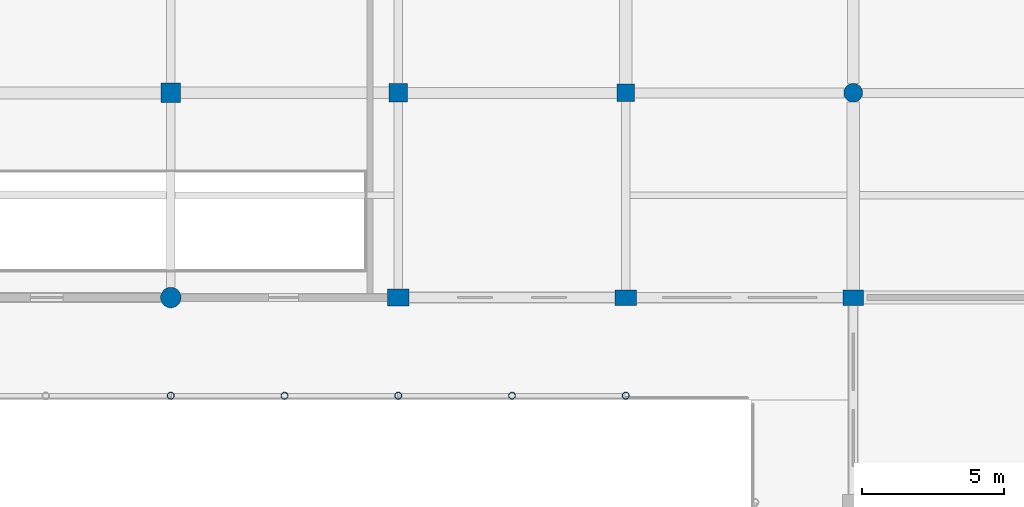
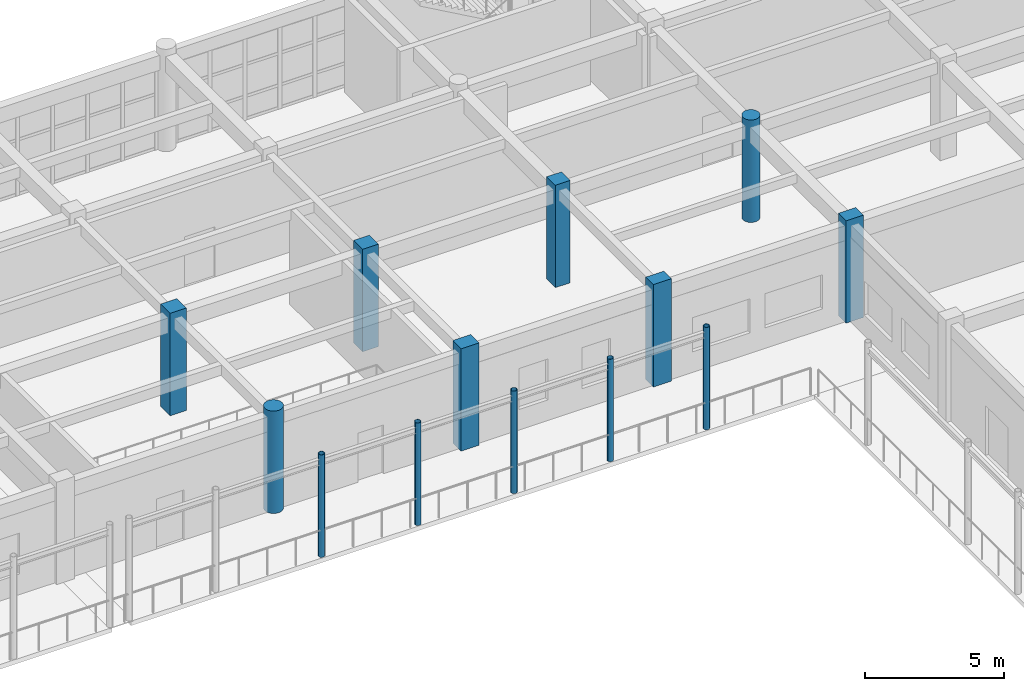
# One storey, part 34 of 160: 13 columns.
"""IFC4 building model written with IfcOpenShell, lengths in metres."""

import ifcopenshell
import ifcopenshell.guid

model = None  # the IFC model being written
_history = None  # IfcOwnerHistory: only IFC2X3 demands one
_inside = {}  # id of a spatial element -> (the spatial element, [elements in it])
_under = {}  # id of a project, library or spatial element -> (it, [spatial elements below it])
_declared = {}  # id of a project -> (the project, [libraries it declares])
_typed = {}  # id of a type object -> (the type object, [elements of that type])
_made_of = {}  # id of a material, layer set ... -> (it, [elements and type objects made of it])


def new_model(schema):
    """Start an empty IFC model of exactly this schema.

    Asked for "IFC4X3", IfcOpenShell would pick the latest addendum, in which some entities
    have other attributes; the version numbers below select the first issue.
    IFC2X3 requires an IfcOwnerHistory on every rooted entity: one is made here for all.
    """
    global model, _history
    if schema == "IFC4X3":
        model = ifcopenshell.file(schema_version=(4, 3, 0, 0))
    else:
        model = ifcopenshell.file(schema=schema)
    _inside.clear()
    _under.clear()
    _declared.clear()
    _typed.clear()
    _made_of.clear()
    _history = None
    if model.schema == "IFC2X3":
        org = make("IfcOrganization", Name="unknown")
        user = make(
            "IfcPersonAndOrganization",
            ThePerson=make("IfcPerson", FamilyName="unknown"),
            TheOrganization=org,
        )
        app = make(
            "IfcApplication",
            ApplicationDeveloper=org,
            Version="unknown",
            ApplicationFullName="unknown",
            ApplicationIdentifier="unknown",
        )
        _history = make(
            "IfcOwnerHistory",
            OwningUser=user,
            OwningApplication=app,
            ChangeAction="ADDED",
            CreationDate=0,
        )
    return model


def make(cls, **values):
    """One entity of the class cls with the attributes given. An attribute that is None is left unset."""
    return model.create_entity(
        cls, **{name: value for name, value in values.items() if value is not None}
    )


def rooted(cls, **values):
    """An entity with a GlobalId (a new one), such as an element, a storey or a relation."""
    return make(cls, GlobalId=ifcopenshell.guid.new(), OwnerHistory=_history, **values)


def si_unit(unit_type, name, prefix=None):
    """IfcSIUnit, for example si_unit("LENGTHUNIT", "METRE", prefix="MILLI")."""
    return make("IfcSIUnit", UnitType=unit_type, Prefix=prefix, Name=name)


def assignment(units):
    """IfcUnitAssignment: the units of a project."""
    return None if units is None else make("IfcUnitAssignment", Units=units)


def point(xyz):
    """IfcCartesianPoint."""
    return None if xyz is None else make("IfcCartesianPoint", Coordinates=xyz)


def direction(xyz):
    """IfcDirection."""
    return None if xyz is None else make("IfcDirection", DirectionRatios=xyz)


def frame(location, z_axis=None, x_axis=None):
    """IfcAxis2Placement3D, a coordinate frame: its origin and axes. An axis left out is left unset."""
    return make(
        "IfcAxis2Placement3D",
        Location=point(location),
        Axis=direction(z_axis),
        RefDirection=direction(x_axis),
    )


def frame_2d(location, x_axis=None):
    """IfcAxis2Placement2D, a coordinate frame in the plane: its origin and x axis."""
    return make(
        "IfcAxis2Placement2D", Location=point(location), RefDirection=direction(x_axis)
    )


def origin():
    """The frame at (0, 0, 0) with its axes left unset."""
    return frame((0.0, 0.0, 0.0))


def origin_2d():
    """The frame at (0, 0) in the plane with its x axis left unset."""
    return frame_2d((0.0, 0.0))


def place(relative_to, where):
    """IfcLocalPlacement: puts the frame where relative to a parent placement (None: the world)."""
    return make(
        "IfcLocalPlacement", PlacementRelTo=relative_to, RelativePlacement=where
    )


def context(
    kind, dimensions, precision=None, world=None, true_north=None, identifier=None
):
    """IfcGeometricRepresentationContext, for example the 3D "Model" context."""
    return make(
        "IfcGeometricRepresentationContext",
        ContextIdentifier=identifier,
        ContextType=kind,
        CoordinateSpaceDimension=dimensions,
        Precision=precision,
        WorldCoordinateSystem=world,
        TrueNorth=true_north,
    )


def subcontext(parent, identifier, kind, view, scale=None):
    """IfcGeometricRepresentationSubContext, for example "Body" below "Model"."""
    return make(
        "IfcGeometricRepresentationSubContext",
        ContextIdentifier=identifier,
        ContextType=kind,
        ParentContext=parent,
        TargetScale=scale,
        TargetView=view,
    )


def project(units=None, contexts=None):
    """IfcProject with its units and contexts."""
    return rooted(
        "IfcProject",
        Name="project",
        RepresentationContexts=contexts,
        UnitsInContext=assignment(units),
    )


def spatial(cls, under=None, at=None, **own):
    """A site, building, storey or space (cls), placed at a placement, below another one or the project."""
    s = rooted(cls, ObjectPlacement=at, **own)
    if under is not None:
        _under.setdefault(under.id(), (under, []))[1].append(s)
    return s


def profile(cls, at=None, kind="AREA", **sizes):
    """A parametric profile (cls). Its sizes go by their IFC names, for example OverallWidth=200.0."""
    return make(cls, ProfileType=kind, Position=at, **sizes)


def rectangle(**sizes):
    """IfcRectangleProfileDef."""
    return profile("IfcRectangleProfileDef", **sizes)


def circle(**sizes):
    """IfcCircleProfileDef."""
    return profile("IfcCircleProfileDef", **sizes)


def hollow_circle(**sizes):
    """IfcCircleHollowProfileDef."""
    return profile("IfcCircleHollowProfileDef", **sizes)


def extrude(swept, where, along, depth):
    """IfcExtrudedAreaSolid: the profile swept, set in the frame where, extruded along a direction by depth."""
    return make(
        "IfcExtrudedAreaSolid",
        SweptArea=swept,
        Position=where,
        ExtrudedDirection=direction(along),
        Depth=depth,
    )


def shape(context_of_items, identifier, shape_type, items):
    """IfcShapeRepresentation: the items that make up one representation, for example the "Body"."""
    return make(
        "IfcShapeRepresentation",
        ContextOfItems=context_of_items,
        RepresentationIdentifier=identifier,
        RepresentationType=shape_type,
        Items=items,
    )


def material(Name=None, Category=None):
    """IfcMaterial."""
    return make("IfcMaterial", Name=Name, Category=Category)


def material_profile(
    of_material, cross_section, Name=None, Category=None, Priority=None
):
    """IfcMaterialProfile: a cross section and its material."""
    return make(
        "IfcMaterialProfile",
        Name=Name,
        Material=of_material,
        Profile=cross_section,
        Priority=Priority,
        Category=Category,
    )


def profile_set(profiles, Name=None, composite=None):
    """IfcMaterialProfileSet."""
    return make(
        "IfcMaterialProfileSet",
        Name=Name,
        MaterialProfiles=profiles,
        CompositeProfile=composite,
    )


def made_of(thing, what):
    """Note that an element or type object is made of a material, layer set ...; save() writes the relation."""
    if what is not None:
        _made_of.setdefault(what.id(), (what, []))[1].append(thing)
    return thing


def type_object(cls, material=None, **own):
    """A type object (cls), such as IfcWallType, which elements share."""
    return made_of(rooted(cls, **own), material)


def element(
    cls,
    number,
    at=None,
    inside=None,
    cuts=None,
    type_object=None,
    material=None,
    context=None,
    identifier="Body",
    shape_type=None,
    held_by="IfcProductDefinitionShape",
    body=None,
    shapes=None,
    **own,
):
    """One element of the class cls, such as IfcWall. Its Tag is "e" and its number.

    at: its placement. inside: the storey or other place that contains it. cuts: it is an
    opening in that element (IfcRelVoidsElement). A single representation is given by context,
    identifier, shape_type and body (its items); several are given by shapes. held_by: the class
    of the entity that holds the representations. save() writes the other relations.
    """
    e = rooted(cls, Tag="e%d" % number, ObjectPlacement=at, **own)
    if body is not None:
        shapes = [shape(context, identifier, shape_type, body)]
    if shapes is not None:
        e.Representation = make(held_by, Representations=shapes)
    if inside is not None:
        _inside.setdefault(inside.id(), (inside, []))[1].append(e)
    if cuts is not None:
        rooted(
            "IfcRelVoidsElement", RelatingBuildingElement=cuts, RelatedOpeningElement=e
        )
    if type_object is not None:
        _typed.setdefault(type_object.id(), (type_object, []))[1].append(e)
    return made_of(e, material)


def aggregate(whole, parts):
    """IfcRelAggregates: a whole, such as a stair, and the parts it consists of."""
    return rooted("IfcRelAggregates", RelatingObject=whole, RelatedObjects=parts)


def save(model, path):
    """Write the relations noted so far, then the file.

    IfcRelAggregates (storeys below a building ...), IfcRelContainedInSpatialStructure (elements
    in a storey), IfcRelDefinesByType, IfcRelAssociatesMaterial and IfcRelDeclares: one each for
    every whole, place, type object, material and project.
    """
    for whole, parts in _under.values():
        aggregate(whole, parts)
    for where, things in _inside.values():
        rooted(
            "IfcRelContainedInSpatialStructure",
            RelatedElements=things,
            RelatingStructure=where,
        )
    for kind, things in _typed.values():
        rooted("IfcRelDefinesByType", RelatedObjects=things, RelatingType=kind)
    for what, things in _made_of.values():
        rooted("IfcRelAssociatesMaterial", RelatedObjects=things, RelatingMaterial=what)
    for by, libraries in _declared.values():
        rooted("IfcRelDeclares", RelatingContext=by, RelatedDefinitions=libraries)
    model.write(path)


model = new_model("IFC4")

# Units and contexts
model_context = context("Model", 3, precision=1e-05, world=origin(), true_north=direction((0.0, 1.0)))
body_context = subcontext(model_context, "Body", "Model", "MODEL_VIEW")
ifc_project = project(units=[si_unit("LENGTHUNIT", "METRE"), si_unit("AREAUNIT", "SQUARE_METRE"), si_unit("VOLUMEUNIT", "CUBIC_METRE"), si_unit("PLANEANGLEUNIT", "RADIAN"), si_unit("MASSUNIT", "GRAM", prefix="KILO")], contexts=[model_context])

# Site, building, storey
site_placement = place(None, origin())
site = spatial("IfcSite", under=ifc_project, at=site_placement, CompositionType="ELEMENT")
building_placement = place(site_placement, origin())
building = spatial("IfcBuilding", under=site, at=building_placement, Name="Kharva Crest Polytechnic", CompositionType="ELEMENT")
storey_placement = place(building_placement, frame((0.0, 0.0, 4.5)))
storey = spatial("IfcBuildingStorey", under=building, at=storey_placement, Name="L01", CompositionType="ELEMENT", Elevation=4.5)

# Columns
ifc_material_1 = material(Name="Concrete C40/50", Category="concrete")
ifc_material_profile_1 = material_profile(ifc_material_1, rectangle(XDim=0.719970703125, YDim=0.550048828125, at=origin_2d()), Name="RECT 720 X 550")
ifc_profile_set_1 = profile_set([ifc_material_profile_1], Name="Concrete C40/50")
column_type_1 = type_object("IfcColumnType", Name="COL-EXT-720X550", PredefinedType="COLUMN", material=ifc_profile_set_1)
column_1_placement = place(storey_placement, frame((152.800048828125, 100.39990234375, 0.0), z_axis=(0.0, 0.0, 1.0), x_axis=(1.0, 0.0, 0.0)))
element("IfcColumn", 1, at=column_1_placement, inside=storey, type_object=column_type_1, Name="L01 Column 20/P", PredefinedType="COLUMN", context=body_context, shape_type="SweptSolid", body=[
    extrude(rectangle(XDim=0.719970703125, YDim=0.550048828125, at=origin_2d()), origin(), (0.0, 0.0, 1.0), 4.5),
])
ifc_material_profile_2 = material_profile(ifc_material_1, rectangle(XDim=0.75, YDim=0.550048828125, at=origin_2d()), Name="RECT 750 X 550")
ifc_profile_set_2 = profile_set([ifc_material_profile_2], Name="Concrete C40/50")
column_type_2 = type_object("IfcColumnType", Name="COL-EXT-750X550", PredefinedType="COLUMN", material=ifc_profile_set_2)
column_2_placement = place(storey_placement, frame((144.800048828125, 100.39990234375, 0.0), z_axis=(0.0, 0.0, 1.0), x_axis=(1.0, 0.0, 0.0)))
element("IfcColumn", 2, at=column_2_placement, inside=storey, type_object=column_type_2, Name="L01 Column 19/P", PredefinedType="COLUMN", context=body_context, shape_type="SweptSolid", body=[
    extrude(rectangle(XDim=0.75, YDim=0.550048828125, at=origin_2d()), origin(), (0.0, 0.0, 1.0), 4.5),
])
ifc_material_profile_3 = material_profile(ifc_material_1, rectangle(XDim=0.75, YDim=0.60009765625, at=origin_2d()), Name="RECT 750 X 600")
ifc_profile_set_3 = profile_set([ifc_material_profile_3], Name="Concrete C40/50")
column_type_3 = type_object("IfcColumnType", Name="COL-EXT-750X600", PredefinedType="COLUMN", material=ifc_profile_set_3)
column_3_placement = place(storey_placement, frame((136.800048828125, 100.39990234375, 0.0), z_axis=(0.0, 0.0, 1.0), x_axis=(1.0, 0.0, 0.0)))
element("IfcColumn", 3, at=column_3_placement, inside=storey, type_object=column_type_3, Name="L01 Column 18/P", PredefinedType="COLUMN", context=body_context, shape_type="SweptSolid", body=[
    extrude(rectangle(XDim=0.75, YDim=0.60009765625, at=origin_2d()), origin(), (0.0, 0.0, 1.0), 4.5),
])
ifc_material_profile_4 = material_profile(ifc_material_1, circle(Radius=0.360107421875, at=origin_2d()), Name="DIA 720")
ifc_profile_set_4 = profile_set([ifc_material_profile_4], Name="Concrete C40/50")
column_type_4 = type_object("IfcColumnType", Name="COL-EXT-DIA720", PredefinedType="COLUMN", material=ifc_profile_set_4)
column_4_placement = place(storey_placement, frame((128.800048828125, 100.39990234375, 0.0), z_axis=(0.0, 0.0, 1.0), x_axis=(1.0, 0.0, 0.0)))
element("IfcColumn", 4, at=column_4_placement, inside=storey, type_object=column_type_4, Name="L01 Column 17/P", PredefinedType="COLUMN", context=body_context, shape_type="SweptSolid", body=[
    extrude(circle(Radius=0.360107421875, at=origin_2d()), origin(), (0.0, 0.0, 1.0), 4.5),
])
ifc_material_profile_5 = material_profile(ifc_material_1, rectangle(XDim=0.6201171875, YDim=0.6201171875, at=origin_2d()), Name="RECT 620 X 620")
ifc_profile_set_5 = profile_set([ifc_material_profile_5], Name="Concrete C40/50")
column_type_5 = type_object("IfcColumnType", Name="COL-INT-620X620", PredefinedType="COLUMN", material=ifc_profile_set_5)
column_5_placement = place(storey_placement, frame((144.800048828125, 107.60009765625, 0.0), z_axis=(0.0, 0.0, 1.0), x_axis=(1.0, 0.0, 0.0)))
element("IfcColumn", 5, at=column_5_placement, inside=storey, type_object=column_type_5, Name="L01 Column 19/Q", PredefinedType="COLUMN", context=body_context, shape_type="SweptSolid", body=[
    extrude(rectangle(XDim=0.6201171875, YDim=0.6201171875, at=origin_2d()), origin(), (0.0, 0.0, 1.0), 4.5),
])
ifc_material_profile_6 = material_profile(ifc_material_1, rectangle(XDim=0.64990234375, YDim=0.64990234375, at=origin_2d()), Name="RECT 650 X 650")
ifc_profile_set_6 = profile_set([ifc_material_profile_6], Name="Concrete C40/50")
column_type_6 = type_object("IfcColumnType", Name="COL-INT-650X650", PredefinedType="COLUMN", material=ifc_profile_set_6)
column_6_placement = place(storey_placement, frame((136.800048828125, 107.60009765625, 0.0), z_axis=(0.0, 0.0, 1.0), x_axis=(1.0, 0.0, 0.0)))
element("IfcColumn", 6, at=column_6_placement, inside=storey, type_object=column_type_6, Name="L01 Column 18/Q", PredefinedType="COLUMN", context=body_context, shape_type="SweptSolid", body=[
    extrude(rectangle(XDim=0.64990234375, YDim=0.64990234375, at=origin_2d()), origin(), (0.0, 0.0, 1.0), 4.5),
])
ifc_material_profile_7 = material_profile(ifc_material_1, rectangle(XDim=0.679931640625, YDim=0.679931640625, at=origin_2d()), Name="RECT 680 X 680")
ifc_profile_set_7 = profile_set([ifc_material_profile_7], Name="Concrete C40/50")
column_type_7 = type_object("IfcColumnType", Name="COL-INT-680X680", PredefinedType="COLUMN", material=ifc_profile_set_7)
column_7_placement = place(storey_placement, frame((128.800048828125, 107.60009765625, 0.0), z_axis=(0.0, 0.0, 1.0), x_axis=(1.0, 0.0, 0.0)))
element("IfcColumn", 7, at=column_7_placement, inside=storey, type_object=column_type_7, Name="L01 Column 17/Q", PredefinedType="COLUMN", context=body_context, shape_type="SweptSolid", body=[
    extrude(rectangle(XDim=0.679931640625, YDim=0.679931640625, at=origin_2d()), origin(), (0.0, 0.0, 1.0), 4.5),
])
ifc_material_profile_8 = material_profile(ifc_material_1, circle(Radius=0.330078125, at=origin_2d()), Name="DIA 660")
ifc_profile_set_8 = profile_set([ifc_material_profile_8], Name="Concrete C40/50")
column_type_8 = type_object("IfcColumnType", Name="COL-INT-DIA660", PredefinedType="COLUMN", material=ifc_profile_set_8)
column_8_placement = place(storey_placement, frame((152.800048828125, 107.60009765625, 0.0), z_axis=(0.0, 0.0, 1.0), x_axis=(1.0, 0.0, 0.0)))
element("IfcColumn", 8, at=column_8_placement, inside=storey, type_object=column_type_8, Name="L01 Column 20/Q", PredefinedType="COLUMN", context=body_context, shape_type="SweptSolid", body=[
    extrude(circle(Radius=0.330078125, at=origin_2d()), origin(), (0.0, 0.0, 1.0), 4.5),
])
ifc_material_2 = material(Name="Steel S355", Category="steel")
ifc_material_profile_9 = material_profile(ifc_material_2, hollow_circle(Radius=0.122314453125, WallThickness=0.010009765625, at=origin_2d()), Name="CHS 244.5X10.0")
ifc_profile_set_9 = profile_set([ifc_material_profile_9], Name="Steel S355")
column_type_9 = type_object("IfcColumnType", Name="COL-STL-CHS244", PredefinedType="COLUMN", material=ifc_profile_set_9)
for number, where, z_axis, x_axis, name in (
    (9, (128.800048828125, 96.949951171875, 0.0), (0.0, 0.0, 1.0), (1.0, 0.0, 0.0), "L01 Colonnade Column VN11"),
    (10, (136.800048828125, 96.949951171875, 0.0), (0.0, 0.0, 1.0), (1.0, 0.0, 0.0), "L01 Colonnade Column VN12"),
    (11, (144.800048828125, 96.949951171875, 0.0), (0.0, 0.0, 1.0), (1.0, 0.0, 0.0), "L01 Colonnade Column VN13"),
    (12, (132.800048828125, 96.949951171875, 0.0), (0.0, 0.0, 1.0), (1.0, 0.0, 0.0), "L01 Colonnade Mid Column VNM10"),
    (13, (140.800048828125, 96.949951171875, 0.0), (0.0, 0.0, 1.0), (1.0, 0.0, 0.0), "L01 Colonnade Mid Column VNM11"),
):
    element("IfcColumn", number, at=place(storey_placement, frame(where, z_axis=z_axis, x_axis=x_axis)), inside=storey, type_object=column_type_9, Name=name, PredefinedType="COLUMN", context=body_context, shape_type="SweptSolid", body=[
        extrude(hollow_circle(Radius=0.122314453125, WallThickness=0.010009765625, at=origin_2d()), origin(), (0.0, 0.0, 1.0), 4.5),
    ])

save(model, "model.ifc")
